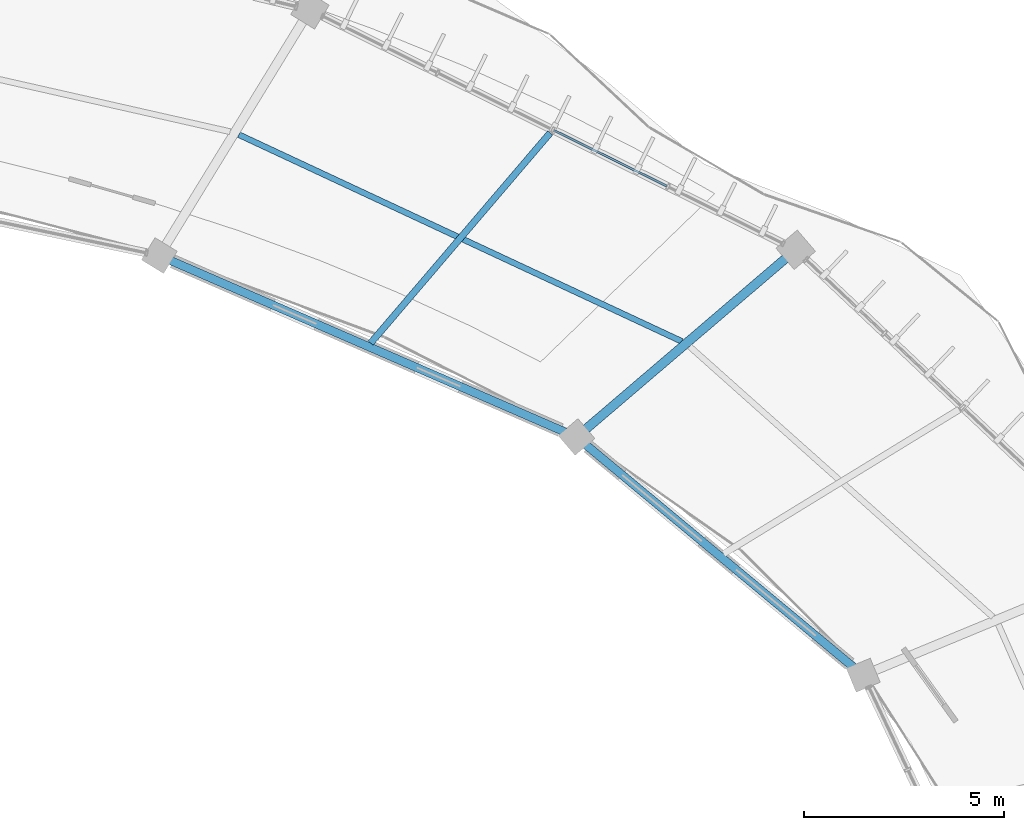
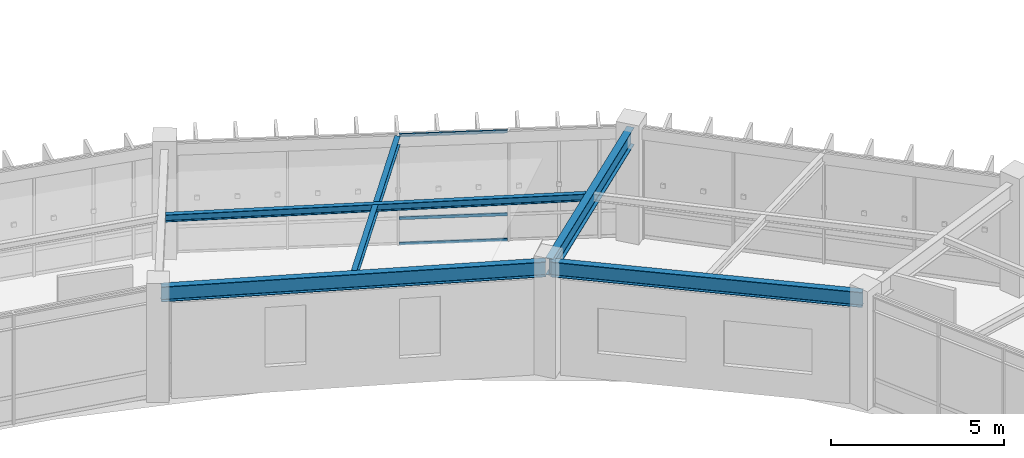
# One storey, part 70 of 138: 5 beams, 3 members, 1 element without a shape of its own.
"""IFC4 building model written with IfcOpenShell, lengths in metres."""

from ifc_helpers import new_model, si_unit, direction, frame, origin, origin_2d, place, context, subcontext, project, spatial, hollow_rectangle, i_section, extrude, material, material_profile, profile_set, type_object, element, aggregate, save


model = new_model("IFC4")

# Units and contexts
model_context = context("Model", 3, precision=1e-05, world=origin(), true_north=direction((0.0, 1.0)))
body_context = subcontext(model_context, "Body", "Model", "MODEL_VIEW")
ifc_project = project(units=[si_unit("LENGTHUNIT", "METRE"), si_unit("AREAUNIT", "SQUARE_METRE"), si_unit("VOLUMEUNIT", "CUBIC_METRE"), si_unit("PLANEANGLEUNIT", "RADIAN"), si_unit("MASSUNIT", "GRAM", prefix="KILO"), si_unit("THERMODYNAMICTEMPERATUREUNIT", "KELVIN"), si_unit("POWERUNIT", "WATT")], contexts=[model_context])

# Site, building, storey
site_placement = place(None, origin())
site = spatial("IfcSite", under=ifc_project, at=site_placement, CompositionType="ELEMENT")
building_placement = place(site_placement, origin())
building = spatial("IfcBuilding", under=site, at=building_placement, Name="Darbajah Civic Hall", CompositionType="ELEMENT")
storey_placement = place(building_placement, frame((0.0, 0.0, 9.60009765625)))
storey = spatial("IfcBuildingStorey", under=building, at=storey_placement, Name="L02", CompositionType="ELEMENT", Elevation=9.60009765625)

# Curtain wall, members
ifc_material_1 = material(Name="Anodised Bronze Aluminium and Low-E Glazing", Category="aluminium")
curtain_wall_type = type_object("IfcCurtainWallType", Name="Unitised Curtain Wall CW-20 12800x3900", PredefinedType="USERDEFINED", material=ifc_material_1)
curtain_wall_placement = place(storey_placement, origin())
curtain_wall = element("IfcCurtainWall", 1, at=curtain_wall_placement, inside=storey, type_object=curtain_wall_type, Name="L02 unitised curtain wall CW-V1O-L02-02", ObjectType="UNITISED CURTAIN WALL", PredefinedType="USERDEFINED")
ifc_material_2 = material(Name="Anodised Bronze Aluminium", Category="aluminium")
ifc_material_profile_1 = material_profile(ifc_material_2, hollow_rectangle(XDim=0.054931640625, YDim=0.10009765625, WallThickness=0.0029296875, at=origin_2d()), Name="ALU TRANSOM 55x100")
ifc_profile_set_1 = profile_set([ifc_material_profile_1], Name="Anodised Bronze Aluminium")
member_type = type_object("IfcMemberType", Name="ALU TRANSOM 55x100", PredefinedType="USERDEFINED", material=ifc_profile_set_1)
member_1_placement = place(storey_placement, frame((124.660400390625, 110.549560546875, 0.0498046875), z_axis=(-0.896545955062, 0.442950731416, 0.0), x_axis=(-0.442950731416, -0.896545955062, 0.0)))
member_1 = element("IfcMember", 2, at=member_1_placement, type_object=member_type, Name="CW-V1O-L02-02 transom 2.1", ObjectType="TRANSOM", PredefinedType="USERDEFINED", context=body_context, shape_type="SweptSolid", body=[
    extrude(hollow_rectangle(XDim=0.054931640625, YDim=0.10009765625, WallThickness=0.0029296875, at=origin_2d()), origin(), (0.0, 0.0, 1.0), 3.142333984375),
])
member_2_placement = place(storey_placement, frame((124.660400390625, 110.549560546875, 0.949951171875), z_axis=(-0.896545955062, 0.442950731416, 0.0), x_axis=(-0.442950731416, -0.896545955062, 0.0)))
member_2 = element("IfcMember", 3, at=member_2_placement, type_object=member_type, Name="CW-V1O-L02-02 transom 2.2", ObjectType="TRANSOM", PredefinedType="USERDEFINED", context=body_context, shape_type="SweptSolid", body=[
    extrude(hollow_rectangle(XDim=0.054931640625, YDim=0.10009765625, WallThickness=0.0029296875, at=origin_2d()), origin(), (0.0, 0.0, 1.0), 3.142333984375),
])
member_3_placement = place(storey_placement, frame((124.660400390625, 110.549560546875, 3.869873046875), z_axis=(-0.896545955062, 0.442950731416, 0.0), x_axis=(-0.442950731416, -0.896545955062, 0.0)))
member_3 = element("IfcMember", 4, at=member_3_placement, type_object=member_type, Name="CW-V1O-L02-02 transom 2.3", ObjectType="TRANSOM", PredefinedType="USERDEFINED", context=body_context, shape_type="SweptSolid", body=[
    extrude(hollow_rectangle(XDim=0.054931640625, YDim=0.10009765625, WallThickness=0.0029296875, at=origin_2d()), origin(), (0.0, 0.0, 1.0), 3.142333984375),
])
aggregate(curtain_wall, [member_1, member_2, member_3])

# Beams
ifc_material_3 = material(Name="Steel S355JR", Category="steel")
ifc_material_profile_2 = material_profile(ifc_material_3, i_section(OverallWidth=0.146484375, OverallDepth=0.256103515625, WebThickness=0.00634765625, FlangeThickness=0.010986328125, FilletRadius=0.007568359375, at=origin_2d()), Name="UB 254x146x37")
ifc_profile_set_2 = profile_set([ifc_material_profile_2], Name="Steel S355JR")
beam_type_1 = type_object("IfcBeamType", Name="UB 254x146x37", PredefinedType="JOIST", material=ifc_profile_set_2)
beam_1_placement = place(storey_placement, frame((125.0380859375, 106.669921875, 3.7919921875), z_axis=(-0.906187225773, 0.422876709982, 0.0), x_axis=(-0.422876709982, -0.906187225773, 0.0)))
element("IfcBeam", 5, at=beam_1_placement, inside=storey, type_object=beam_type_1, Name="L02 beam SJ-254", PredefinedType="JOIST", context=body_context, shape_type="SweptSolid", body=[
    extrude(i_section(OverallWidth=0.146484375, OverallDepth=0.256103515625, WebThickness=0.00634765625, FlangeThickness=0.010986328125, FilletRadius=0.007568359375, at=origin_2d()), origin(), (0.0, 0.0, 1.0), 12.21240234375),
])
ifc_material_profile_3 = material_profile(ifc_material_3, i_section(OverallWidth=0.165771484375, OverallDepth=0.306640625, WebThickness=0.006591796875, FlangeThickness=0.01171875, FilletRadius=0.0087890625, at=origin_2d()), Name="UB 305x165x46")
ifc_profile_set_3 = profile_set([ifc_material_profile_3], Name="Steel S355JR")
beam_type_2 = type_object("IfcBeamType", Name="UB 305x165x46", PredefinedType="JOIST", material=ifc_profile_set_3)
beam_2_placement = place(storey_placement, frame((117.264404296875, 106.62890625, 3.7666015625), z_axis=(0.649456456581, 0.760398784195, 0.0), x_axis=(-0.760398784195, 0.649456456581, 0.0)))
element("IfcBeam", 6, at=beam_2_placement, inside=storey, type_object=beam_type_2, Name="L02 beam SJ-305", PredefinedType="JOIST", context=body_context, shape_type="SweptSolid", body=[
    extrude(i_section(OverallWidth=0.165771484375, OverallDepth=0.306640625, WebThickness=0.006591796875, FlangeThickness=0.01171875, FilletRadius=0.0087890625, at=origin_2d()), origin(), (0.0, 0.0, 1.0), 6.9033203125),
])
ifc_material_profile_4 = material_profile(ifc_material_3, i_section(OverallWidth=0.209228515625, OverallDepth=0.533203125, WebThickness=0.010009765625, FlangeThickness=0.015625, FilletRadius=0.0126953125, at=origin_2d()), Name="UB 533x210x92")
ifc_profile_set_4 = profile_set([ifc_material_profile_4], Name="Steel S355JR")
beam_type_3 = type_object("IfcBeamType", Name="UB 533x210x92", PredefinedType="BEAM", material=ifc_profile_set_4)
beam_3_placement = place(storey_placement, frame((129.50439453125, 98.385009765625, 3.6533203125), z_axis=(-0.769165350471, 0.63904981311, 0.0), x_axis=(-0.63904981311, -0.769165350471, 0.0)))
element("IfcBeam", 7, at=beam_3_placement, inside=storey, type_object=beam_type_3, Name="L02 beam SB-533", PredefinedType="BEAM", context=body_context, shape_type="SweptSolid", body=[
    extrude(i_section(OverallWidth=0.209228515625, OverallDepth=0.533203125, WebThickness=0.010009765625, FlangeThickness=0.015625, FilletRadius=0.0126953125, at=origin_2d()), origin(), (0.0, 0.0, 1.0), 9.14892578125),
])
beam_4_placement = place(storey_placement, frame((122.33251953125, 104.314697265625, 3.6533203125), z_axis=(-0.91705481115, 0.398761173319, 0.0), x_axis=(-0.398761173319, -0.91705481115, 0.0)))
element("IfcBeam", 8, at=beam_4_placement, inside=storey, type_object=beam_type_3, Name="L02 beam SB-533", PredefinedType="BEAM", context=body_context, shape_type="SweptSolid", body=[
    extrude(i_section(OverallWidth=0.209228515625, OverallDepth=0.533203125, WebThickness=0.010009765625, FlangeThickness=0.015625, FilletRadius=0.0126953125, at=origin_2d()), origin(), (0.0, 0.0, 1.0), 11.202880859375),
])
ifc_material_profile_5 = material_profile(ifc_material_3, i_section(OverallWidth=0.228271484375, OverallDepth=0.607666015625, WebThickness=0.010986328125, FlangeThickness=0.017333984375, FilletRadius=0.0126953125, at=origin_2d()), Name="UB 610x229x113")
ifc_profile_set_5 = profile_set([ifc_material_profile_5], Name="Steel S355JR")
beam_type_4 = type_object("IfcBeamType", Name="UB 610x229x113", PredefinedType="BEAM", material=ifc_profile_set_5)
beam_5_placement = place(storey_placement, frame((122.466552734375, 104.334716796875, 3.6162109375), z_axis=(0.760413281686, 0.649439482197, 0.0), x_axis=(-0.649439482197, 0.760413281686, 0.0)))
element("IfcBeam", 9, at=beam_5_placement, inside=storey, type_object=beam_type_4, Name="L02 beam SB-610", PredefinedType="BEAM", context=body_context, shape_type="SweptSolid", body=[
    extrude(i_section(OverallWidth=0.228271484375, OverallDepth=0.607666015625, WebThickness=0.010986328125, FlangeThickness=0.017333984375, FilletRadius=0.0126953125, at=origin_2d()), origin(), (0.0, 0.0, 1.0), 7.0400390625),
])

save(model, "model.ifc")
